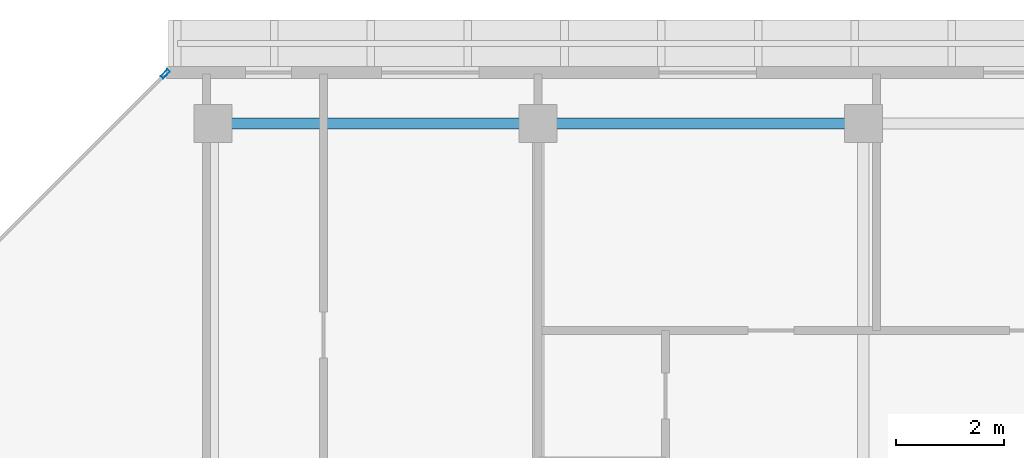
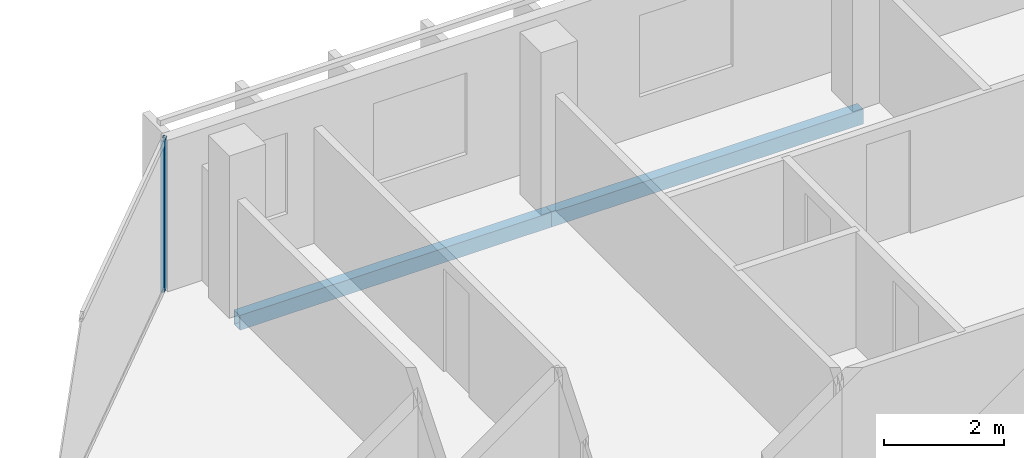
# One storey, part 14 of 28: 2 beams, 1 member, 1 element without a shape of its own.
"""IFC4 building model written with IfcOpenShell, lengths in metres."""

from ifc_helpers import new_model, si_unit, direction, frame, origin, origin_2d, place, context, subcontext, project, spatial, hollow_rectangle, extrude, material, layer, layer_set, material_profile, profile_set, type_object, element, aggregate, save


model = new_model("IFC4")

# Units and contexts
model_context = context("Model", 3, precision=1e-05, world=origin(), true_north=direction((0.0, 1.0)))
body_context = subcontext(model_context, "Body", "Model", "MODEL_VIEW")
ifc_project = project(units=[si_unit("LENGTHUNIT", "METRE"), si_unit("AREAUNIT", "SQUARE_METRE"), si_unit("VOLUMEUNIT", "CUBIC_METRE"), si_unit("PLANEANGLEUNIT", "RADIAN"), si_unit("MASSUNIT", "GRAM", prefix="KILO")], contexts=[model_context])

# Site, building, storey
site_placement = place(None, origin())
site = spatial("IfcSite", under=ifc_project, at=site_placement, CompositionType="ELEMENT")
building_placement = place(site_placement, origin())
building = spatial("IfcBuilding", under=site, at=building_placement, Name="Tanjung Sevakor Pilgrim Tower", CompositionType="ELEMENT")
storey_placement = place(building_placement, frame((0.0, 0.0, 239.25)))
storey = spatial("IfcBuildingStorey", under=building, at=storey_placement, Name="L67", CompositionType="ELEMENT", Elevation=239.25)

# Beams
ifc_material_1 = material(Name="Steel S355J2", Category="steel")
ifc_material_profile_1 = material_profile(ifc_material_1, hollow_rectangle(XDim=0.199951171875, YDim=0.300048828125, WallThickness=0.012451171875, at=origin_2d()))
ifc_profile_set_1 = profile_set([ifc_material_profile_1], Name="Steel S355J2")
beam_type = type_object("IfcBeamType", Name="BM-B-SP3-RHS_300x200x12.5", PredefinedType="SPANDREL", material=ifc_profile_set_1)
for number, where, z_axis, x_axis, name in (
    (1, (72.0, 53.949951171875, -0.3701171875), (1.0, 0.0, 0.0), (0.0, 1.0, 0.0), "L67 Spandrel EAST N-02"),
    (2, (78.0, 53.949951171875, -0.3701171875), (1.0, 0.0, 0.0), (0.0, 1.0, 0.0), "L67 Spandrel EAST N-04"),
):
    element("IfcBeam", number, at=place(storey_placement, frame(where, z_axis=z_axis, x_axis=x_axis)), inside=storey, type_object=beam_type, Name=name, PredefinedType="SPANDREL", context=body_context, shape_type="SweptSolid", body=[
        extrude(hollow_rectangle(XDim=0.199951171875, YDim=0.300048828125, WallThickness=0.012451171875, at=origin_2d()), origin(), (0.0, 0.0, 1.0), 6.0),
    ])

# Curtain wall, member
ifc_material_2 = material(Name="Aluminium 6063-T6 and Low-E Glass", Category="aluminium")
ifc_layer = layer(ifc_material_2, 0.179931640625)
ifc_layer_set = layer_set([ifc_layer], Name="CW-SYS-CHAM")
curtain_wall_type = type_object("IfcCurtainWallType", Name="CW-SYS-CHAM", PredefinedType="NOTDEFINED", material=ifc_layer_set)
curtain_wall_placement = place(storey_placement, origin())
curtain_wall = element("IfcCurtainWall", 3, at=curtain_wall_placement, inside=storey, type_object=curtain_wall_type, Name="L67 Curtain Wall CW-CHM-L67-EAST-5", PredefinedType="NOTDEFINED")
ifc_material_3 = material(Name="Aluminium 6063-T6", Category="aluminium")
ifc_material_profile_2 = material_profile(ifc_material_3, hollow_rectangle(XDim=0.06494140625, YDim=0.179931640625, WallThickness=0.00390625, at=origin_2d()))
ifc_profile_set_2 = profile_set([ifc_material_profile_2], Name="Aluminium 6063-T6")
member_type = type_object("IfcMemberType", Name="TYPE-CWM-1", PredefinedType="MULLION", material=ifc_profile_set_2)
member_placement = place(storey_placement, frame((71.12255859375, 54.866943359375, 0.0), z_axis=(0.0, 0.0, 1.0), x_axis=(0.707106781187, -0.707106781187, 0.0)))
member = element("IfcMember", 4, at=member_placement, type_object=member_type, Name="CW-CHM mullion 1", PredefinedType="MULLION", context=body_context, shape_type="SweptSolid", body=[
    extrude(hollow_rectangle(XDim=0.06494140625, YDim=0.179931640625, WallThickness=0.00390625, at=origin_2d()), origin(), (0.0, 0.0, 1.0), 3.080078125),
])
aggregate(curtain_wall, [member])

save(model, "model.ifc")
